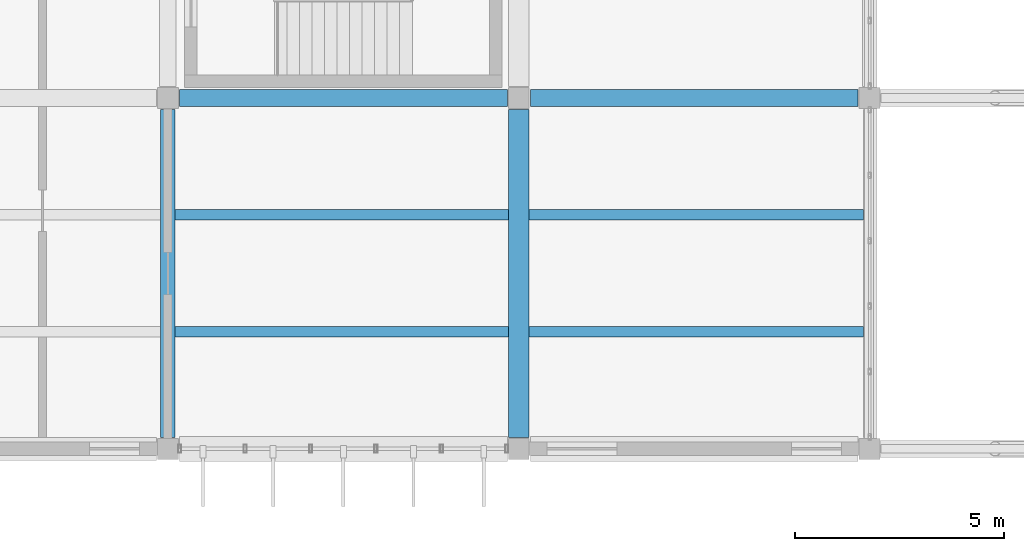
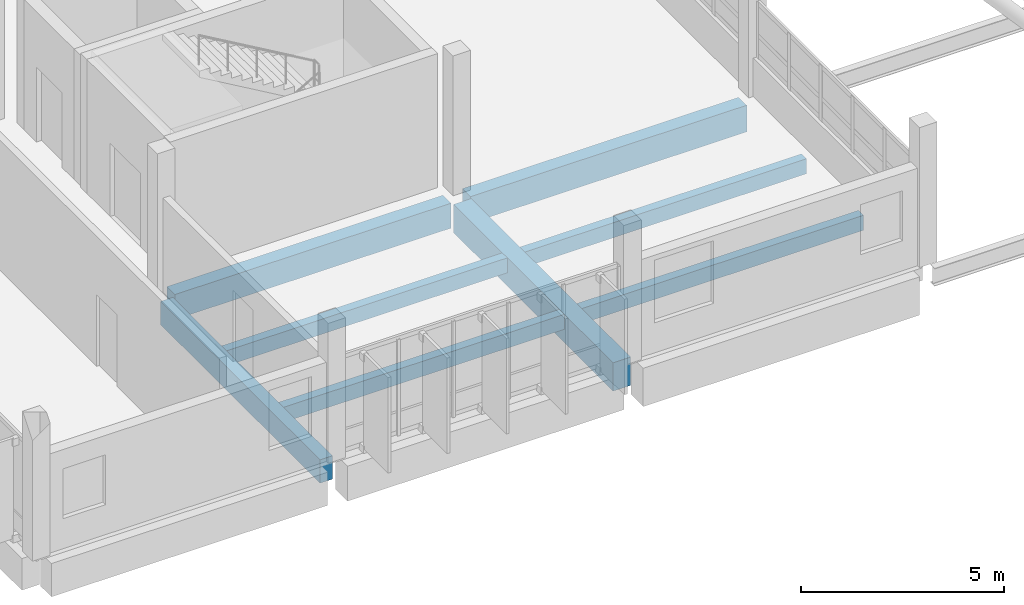
# One storey, part 4 of 107: 8 beams.
"""IFC4 building model written with IfcOpenShell, lengths in metres."""

from ifc_helpers import new_model, si_unit, direction, frame, origin, origin_2d, place, context, subcontext, project, spatial, rectangle, extrude, material, material_profile, profile_set, type_object, element, save


model = new_model("IFC4")

# Units and contexts
model_context = context("Model", 3, precision=1e-05, world=origin(), true_north=direction((0.0, 1.0)))
body_context = subcontext(model_context, "Body", "Model", "MODEL_VIEW")
ifc_project = project(units=[si_unit("LENGTHUNIT", "METRE"), si_unit("AREAUNIT", "SQUARE_METRE"), si_unit("VOLUMEUNIT", "CUBIC_METRE"), si_unit("PLANEANGLEUNIT", "RADIAN"), si_unit("MASSUNIT", "GRAM", prefix="KILO")], contexts=[model_context])

# Site, building, storey
site_placement = place(None, origin())
site = spatial("IfcSite", under=ifc_project, at=site_placement, CompositionType="ELEMENT")
building_placement = place(site_placement, origin())
building = spatial("IfcBuilding", under=site, at=building_placement, Name="Vireocrest Preparatory School", CompositionType="ELEMENT")
storey_placement = place(building_placement, frame((0.0, 0.0, 13.199951171875)))
storey = spatial("IfcBuildingStorey", under=building, at=storey_placement, Name="L03", CompositionType="ELEMENT", Elevation=13.199951171875)

# Beams
ifc_material = material(Name="Concrete 40 MPa", Category="concrete")
ifc_material_profile_1 = material_profile(ifc_material, rectangle(XDim=0.39990234375, YDim=0.75, at=origin_2d()), Name="RC 400x750")
ifc_profile_set_1 = profile_set([ifc_material_profile_1], Name="Concrete 40 MPa")
beam_type_1 = type_object("IfcBeamType", Name="RC Commons Girder 400x750", PredefinedType="BEAM", material=ifc_profile_set_1)
beam_1_placement = place(storey_placement, frame((50.675048828125, 43.800048828125, -0.614990234375), z_axis=(1.0, 0.0, 0.0), x_axis=(0.0, 1.0, 0.0)))
element("IfcBeam", 1, at=beam_1_placement, inside=storey, type_object=beam_type_1, Name="Primary Girder B09 L03-1051", PredefinedType="BEAM", context=body_context, shape_type="SweptSolid", body=[
    extrude(rectangle(XDim=0.39990234375, YDim=0.75, at=origin_2d()), origin(), (0.0, 0.0, 1.0), 7.849853515625),
])
ifc_material_profile_2 = material_profile(ifc_material, rectangle(XDim=0.35009765625, YDim=0.699951171875, at=origin_2d()), Name="RC 350x700")
ifc_profile_set_2 = profile_set([ifc_material_profile_2], Name="Concrete 40 MPa")
beam_type_2 = type_object("IfcBeamType", Name="RC Laboratory Girder 350x700", PredefinedType="BEAM", material=ifc_profile_set_2)
beam_2_placement = place(storey_placement, frame((50.39990234375, 35.675048828125, -0.58984375), z_axis=(0.0, 1.0, 0.0), x_axis=(-1.0, 0.0, 0.0)))
element("IfcBeam", 2, at=beam_2_placement, inside=storey, type_object=beam_type_2, Name="Primary Girder B06 L03-1115", PredefinedType="BEAM", context=body_context, shape_type="SweptSolid", body=[
    extrude(rectangle(XDim=0.35009765625, YDim=0.699951171875, at=origin_2d()), origin(), (0.0, 0.0, 1.0), 7.849853515625),
])
ifc_material_profile_3 = material_profile(ifc_material, rectangle(XDim=0.39990234375, YDim=0.800048828125, at=origin_2d()), Name="RC 400x800")
ifc_profile_set_3 = profile_set([ifc_material_profile_3], Name="Concrete 40 MPa")
beam_type_3 = type_object("IfcBeamType", Name="RC Library Reading Girder 400x800", PredefinedType="BEAM", material=ifc_profile_set_3)
beam_3_placement = place(storey_placement, frame((59.074951171875, 43.800048828125, -0.639892578125), z_axis=(1.0, 0.0, 0.0), x_axis=(0.0, 1.0, 0.0)))
element("IfcBeam", 3, at=beam_3_placement, inside=storey, type_object=beam_type_3, Name="Primary Girder B10 L03-1052", PredefinedType="BEAM", context=body_context, shape_type="SweptSolid", body=[
    extrude(rectangle(XDim=0.39990234375, YDim=0.800048828125, at=origin_2d()), origin(), (0.0, 0.0, 1.0), 7.85009765625),
])
ifc_material_profile_4 = material_profile(ifc_material, rectangle(XDim=0.5, YDim=0.85009765625, at=origin_2d()), Name="RC 500x850")
ifc_profile_set_4 = profile_set([ifc_material_profile_4], Name="Concrete 40 MPa")
beam_type_4 = type_object("IfcBeamType", Name="RC Podium Girder 500x850", PredefinedType="BEAM", material=ifc_profile_set_4)
beam_4_placement = place(storey_placement, frame((58.800048828125, 35.675048828125, -0.6650390625), z_axis=(0.0, 1.0, 0.0), x_axis=(-1.0, 0.0, 0.0)))
element("IfcBeam", 4, at=beam_4_placement, inside=storey, type_object=beam_type_4, Name="Primary Girder B14 L03-1123", PredefinedType="BEAM", context=body_context, shape_type="SweptSolid", body=[
    extrude(rectangle(XDim=0.5, YDim=0.85009765625, at=origin_2d()), origin(), (0.0, 0.0, 1.0), 7.849853515625),
])
ifc_material_profile_5 = material_profile(ifc_material, rectangle(XDim=0.25, YDim=0.449951171875, at=origin_2d()), Name="RC 250x450")
ifc_profile_set_5 = profile_set([ifc_material_profile_5], Name="Concrete 40 MPa")
beam_type_5 = type_object("IfcBeamType", Name="RC Secondary Floor Joist 250x450", PredefinedType="JOIST", material=ifc_profile_set_5)
for number, where, z_axis, x_axis, name in (
    (5, (50.574951171875, 38.199951171875, -0.46484375), (1.0, 0.0, 0.0), (0.0, 1.0, 0.0), "Secondary Joist J01 L03-1199"),
    (6, (50.574951171875, 41.0, -0.46484375), (1.0, 0.0, 0.0), (0.0, 1.0, 0.0), "Secondary Joist J01 L03-1200"),
):
    element("IfcBeam", number, at=place(storey_placement, frame(where, z_axis=z_axis, x_axis=x_axis)), inside=storey, type_object=beam_type_5, Name=name, PredefinedType="JOIST", context=body_context, shape_type="SweptSolid", body=[
        extrude(rectangle(XDim=0.25, YDim=0.449951171875, at=origin_2d()), origin(), (0.0, 0.0, 1.0), 7.97509765625),
    ])
for number, where, z_axis, x_axis, name in (
    (7, (59.050048828125, 38.199951171875, -0.46484375), (1.0, 0.0, 0.0), (0.0, 1.0, 0.0), "Secondary Joist J01 L03-1211"),
    (8, (59.050048828125, 41.0, -0.46484375), (1.0, 0.0, 0.0), (0.0, 1.0, 0.0), "Secondary Joist J01 L03-1212"),
):
    element("IfcBeam", number, at=place(storey_placement, frame(where, z_axis=z_axis, x_axis=x_axis)), inside=storey, type_object=beam_type_5, Name=name, PredefinedType="JOIST", context=body_context, shape_type="SweptSolid", body=[
        extrude(rectangle(XDim=0.25, YDim=0.449951171875, at=origin_2d()), origin(), (0.0, 0.0, 1.0), 8.0),
    ])

save(model, "model.ifc")
